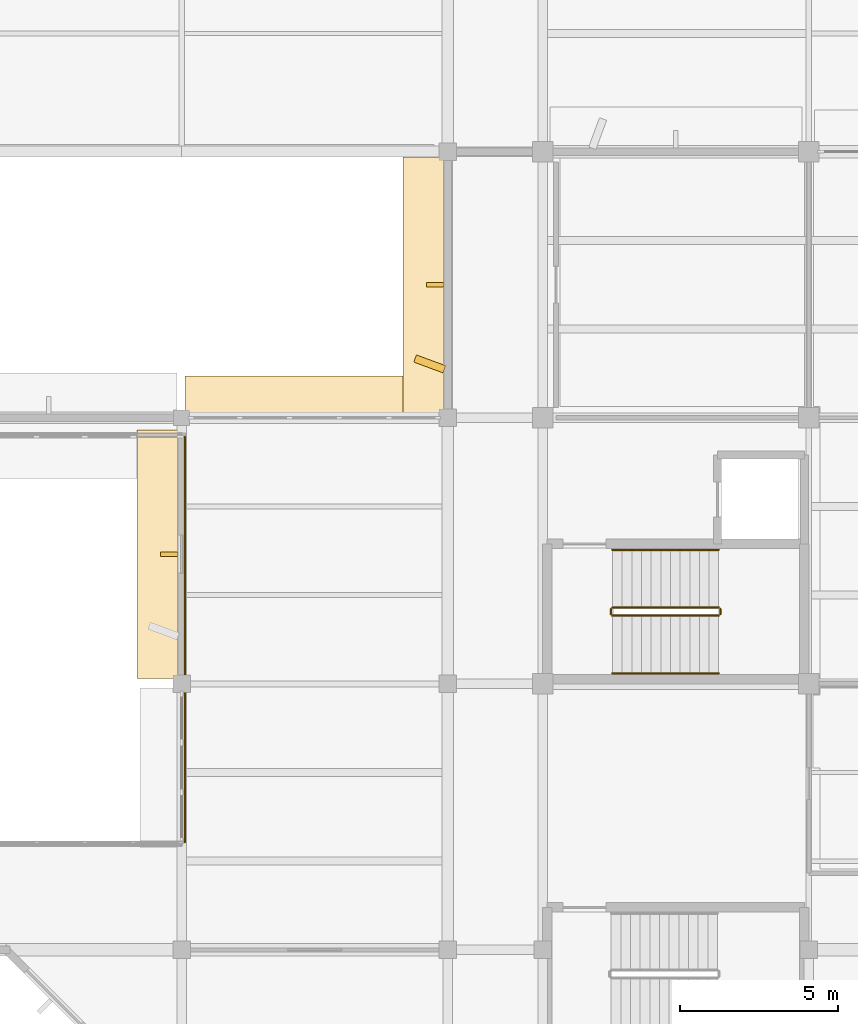
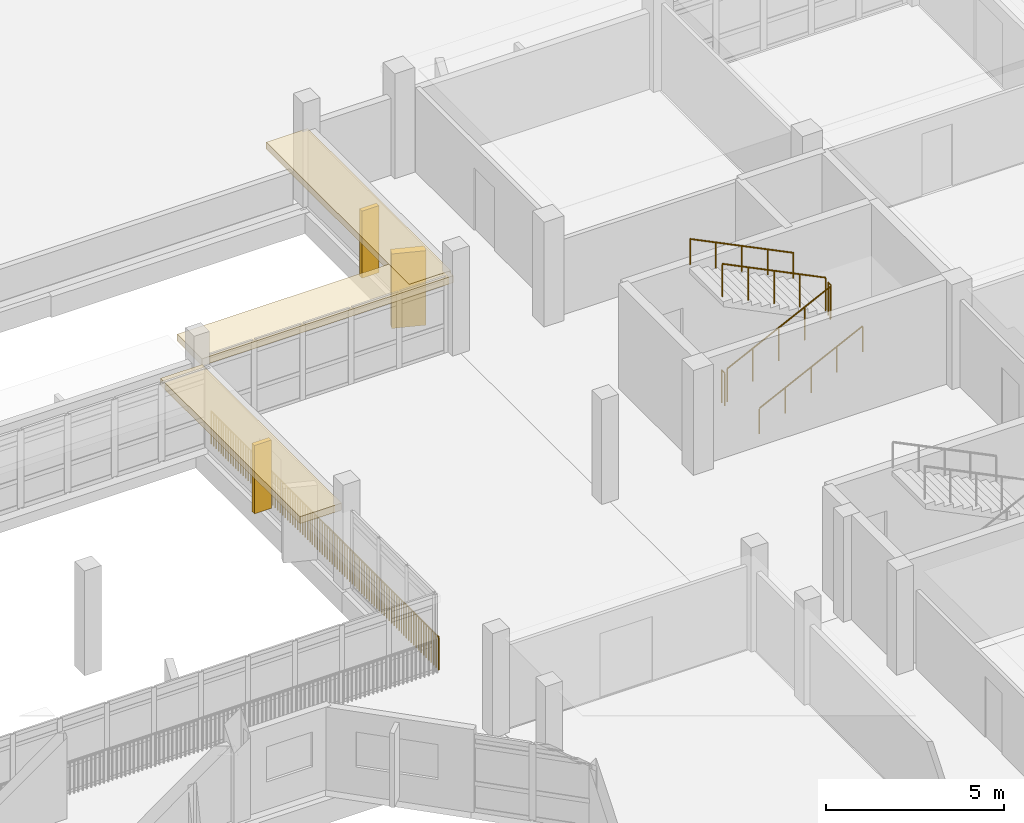
# One storey, part 87 of 92: 7 railings, 4 coverings, 2 shading devices.
"""IFC4 building model written with IfcOpenShell, lengths in metres."""

from ifc_helpers import new_model, si_unit, direction, frame, origin, origin_2d, place, context, subcontext, project, spatial, rectangle, circle, extrude, material, layer, layer_set, type_object, element, save


model = new_model("IFC4")

# Units and contexts
model_context = context("Model", 3, precision=1e-05, world=origin(), true_north=direction((0.0, 1.0)))
body_context = subcontext(model_context, "Body", "Model", "MODEL_VIEW")
ifc_project = project(units=[si_unit("LENGTHUNIT", "METRE"), si_unit("AREAUNIT", "SQUARE_METRE"), si_unit("VOLUMEUNIT", "CUBIC_METRE"), si_unit("PLANEANGLEUNIT", "RADIAN"), si_unit("MASSUNIT", "GRAM", prefix="KILO")], contexts=[model_context])

# Site, building, storey
site_placement = place(None, origin())
site = spatial("IfcSite", under=ifc_project, at=site_placement, CompositionType="ELEMENT")
building_placement = place(site_placement, origin())
building = spatial("IfcBuilding", under=site, at=building_placement, Name="Vanh Quang Courtyard School", CompositionType="ELEMENT")
storey_placement = place(building_placement, frame((0.0, 0.0, 7.800048828125)))
storey = spatial("IfcBuildingStorey", under=building, at=storey_placement, Name="L02", CompositionType="ELEMENT", Elevation=7.800048828125)

# Coverings
ifc_material_1 = material(Name="Board-marked precast concrete C40/50", Category="concrete")
ifc_layer = layer(ifc_material_1, 0.239990234375)
ifc_layer_set = layer_set([ifc_layer], Name="Board-marked precast concrete C40/50")
covering_type = type_object("IfcCoveringType", Name="COV-HOOD-CONC", PredefinedType="CLADDING", material=ifc_layer_set)
covering_1_placement = place(storey_placement, frame((70.1875, 88.820068359375, 2.35986328125), z_axis=(0.0, 0.0, 1.0), x_axis=(1.0, 0.0, 0.0)))
element("IfcCovering", 1, at=covering_1_placement, inside=storey, type_object=covering_type, Name="Covering CH-01 (L02)", PredefinedType="CLADDING", context=body_context, shape_type="SweptSolid", body=[
    extrude(rectangle(XDim=8.158935546875, YDim=1.39990234375, at=origin_2d()), origin(), (0.0, 0.0, 1.0), 0.239990234375),
])
covering_2_placement = place(storey_placement, frame((73.659912109375, 92.39990234375, 2.35986328125), z_axis=(0.0, 0.0, 1.0), x_axis=(0.0, 1.0, 0.0)))
element("IfcCovering", 2, at=covering_2_placement, inside=storey, type_object=covering_type, Name="Covering CH-01 (L02)", PredefinedType="CLADDING", context=body_context, shape_type="SweptSolid", body=[
    extrude(rectangle(XDim=8.053955078125, YDim=1.35009765625, at=origin_2d()), origin(), (0.0, 0.0, 1.0), 0.239990234375),
])
covering_3_placement = place(storey_placement, frame((73.830078125, 89.899658203125, 0.0), z_axis=(0.0, 0.0, 1.0), x_axis=(-0.938009980858, 0.346608245445, 0.0)))
element("IfcCovering", 3, at=covering_3_placement, inside=storey, type_object=covering_type, Name="Covering CH-01 (L02)", PredefinedType="CLADDING", context=body_context, shape_type="SweptSolid", body=[
    extrude(rectangle(XDim=0.980712890625, YDim=0.239990234375, at=origin_2d()), origin(), (0.0, 0.0, 1.0), 2.56005859375),
])
covering_4_placement = place(storey_placement, frame((65.260009765625, 83.896484375, 2.41015625), z_axis=(0.0, 0.0, 1.0), x_axis=(0.0, 1.0, 0.0)))
element("IfcCovering", 4, at=covering_4_placement, inside=storey, type_object=covering_type, Name="Covering CH-01 (L02)", PredefinedType="CLADDING", context=body_context, shape_type="SweptSolid", body=[
    extrude(rectangle(XDim=7.846923828125, YDim=1.35009765625, at=origin_2d()), origin(), (0.0, 0.0, 1.0), 0.239990234375),
])

# Railings
ifc_material_2 = material(Name="Galvanised painted steel EN 10025-2 S355J2", Category="steel")
railing_type_1 = type_object("IfcRailingType", Name="RAIL-GUARD-1150", PredefinedType="BALUSTRADE", material=ifc_material_2)
railing_1_placement = place(storey_placement, frame((66.10009765625, 74.800048828125, 0.0)))
element("IfcRailing", 5, at=railing_1_placement, inside=storey, type_object=railing_type_1, Name="Railing GR-01 (L02)", PredefinedType="BALUSTRADE", context=body_context, shape_type="SweptSolid", body=[
    extrude(circle(Radius=0.02392578125, at=origin_2d()), frame((0.0, 0.0, 1.1259765625), z_axis=(0.0, 1.0, 0.0), x_axis=(-1.0, 0.0, 0.0)), (0.0, 0.0, 1.0), 12.800048828125),
    extrude(circle(Radius=0.02099609375, at=origin_2d()), origin(), (0.0, 0.0, 1.0), 1.101806640625),
    extrude(circle(Radius=0.02099609375, at=origin_2d()), frame((0.0, 0.13916015625, 0.0)), (0.0, 0.0, 1.0), 1.101806640625),
    extrude(circle(Radius=0.02099609375, at=origin_2d()), frame((0.0, 0.2783203125, 0.0)), (0.0, 0.0, 1.0), 1.101806640625),
    extrude(circle(Radius=0.02099609375, at=origin_2d()), frame((0.0, 0.41748046875, 0.0)), (0.0, 0.0, 1.0), 1.101806640625),
    extrude(circle(Radius=0.02099609375, at=origin_2d()), frame((0.0, 0.556640625, 0.0)), (0.0, 0.0, 1.0), 1.101806640625),
    extrude(circle(Radius=0.02099609375, at=origin_2d()), frame((0.0, 0.695556640625, 0.0)), (0.0, 0.0, 1.0), 1.101806640625),
    extrude(circle(Radius=0.02099609375, at=origin_2d()), frame((0.0, 0.834716796875, 0.0)), (0.0, 0.0, 1.0), 1.101806640625),
    extrude(circle(Radius=0.02099609375, at=origin_2d()), frame((0.0, 0.973876953125, 0.0)), (0.0, 0.0, 1.0), 1.101806640625),
    extrude(circle(Radius=0.02099609375, at=origin_2d()), frame((0.0, 1.113037109375, 0.0)), (0.0, 0.0, 1.0), 1.101806640625),
    extrude(circle(Radius=0.02099609375, at=origin_2d()), frame((0.0, 1.252197265625, 0.0)), (0.0, 0.0, 1.0), 1.101806640625),
    extrude(circle(Radius=0.02099609375, at=origin_2d()), frame((0.0, 1.391357421875, 0.0)), (0.0, 0.0, 1.0), 1.101806640625),
    extrude(circle(Radius=0.02099609375, at=origin_2d()), frame((0.0, 1.530517578125, 0.0)), (0.0, 0.0, 1.0), 1.101806640625),
    extrude(circle(Radius=0.02099609375, at=origin_2d()), frame((0.0, 1.669677734375, 0.0)), (0.0, 0.0, 1.0), 1.101806640625),
    extrude(circle(Radius=0.02099609375, at=origin_2d()), frame((0.0, 1.80859375, 0.0)), (0.0, 0.0, 1.0), 1.101806640625),
    extrude(circle(Radius=0.02099609375, at=origin_2d()), frame((0.0, 1.94775390625, 0.0)), (0.0, 0.0, 1.0), 1.101806640625),
    extrude(circle(Radius=0.02099609375, at=origin_2d()), frame((0.0, 2.0869140625, 0.0)), (0.0, 0.0, 1.0), 1.101806640625),
    extrude(circle(Radius=0.02099609375, at=origin_2d()), frame((0.0, 2.22607421875, 0.0)), (0.0, 0.0, 1.0), 1.101806640625),
    extrude(circle(Radius=0.02099609375, at=origin_2d()), frame((0.0, 2.365234375, 0.0)), (0.0, 0.0, 1.0), 1.101806640625),
    extrude(circle(Radius=0.02099609375, at=origin_2d()), frame((0.0, 2.50439453125, 0.0)), (0.0, 0.0, 1.0), 1.101806640625),
    extrude(circle(Radius=0.02099609375, at=origin_2d()), frame((0.0, 2.6435546875, 0.0)), (0.0, 0.0, 1.0), 1.101806640625),
    extrude(circle(Radius=0.02099609375, at=origin_2d()), frame((0.0, 2.78271484375, 0.0)), (0.0, 0.0, 1.0), 1.101806640625),
    extrude(circle(Radius=0.02099609375, at=origin_2d()), frame((0.0, 2.921630859375, 0.0)), (0.0, 0.0, 1.0), 1.101806640625),
    extrude(circle(Radius=0.02099609375, at=origin_2d()), frame((0.0, 3.060791015625, 0.0)), (0.0, 0.0, 1.0), 1.101806640625),
    extrude(circle(Radius=0.02099609375, at=origin_2d()), frame((0.0, 3.199951171875, 0.0)), (0.0, 0.0, 1.0), 1.101806640625),
    extrude(circle(Radius=0.02099609375, at=origin_2d()), frame((0.0, 3.339111328125, 0.0)), (0.0, 0.0, 1.0), 1.101806640625),
    extrude(circle(Radius=0.02099609375, at=origin_2d()), frame((0.0, 3.478271484375, 0.0)), (0.0, 0.0, 1.0), 1.101806640625),
    extrude(circle(Radius=0.02099609375, at=origin_2d()), frame((0.0, 3.617431640625, 0.0)), (0.0, 0.0, 1.0), 1.101806640625),
    extrude(circle(Radius=0.02099609375, at=origin_2d()), frame((0.0, 3.756591796875, 0.0)), (0.0, 0.0, 1.0), 1.101806640625),
    extrude(circle(Radius=0.02099609375, at=origin_2d()), frame((0.0, 3.895751953125, 0.0)), (0.0, 0.0, 1.0), 1.101806640625),
    extrude(circle(Radius=0.02099609375, at=origin_2d()), frame((0.0, 4.034912109375, 0.0)), (0.0, 0.0, 1.0), 1.101806640625),
    extrude(circle(Radius=0.02099609375, at=origin_2d()), frame((0.0, 4.173828125, 0.0)), (0.0, 0.0, 1.0), 1.101806640625),
    extrude(circle(Radius=0.02099609375, at=origin_2d()), frame((0.0, 4.31298828125, 0.0)), (0.0, 0.0, 1.0), 1.101806640625),
    extrude(circle(Radius=0.02099609375, at=origin_2d()), frame((0.0, 4.4521484375, 0.0)), (0.0, 0.0, 1.0), 1.101806640625),
    extrude(circle(Radius=0.02099609375, at=origin_2d()), frame((0.0, 4.59130859375, 0.0)), (0.0, 0.0, 1.0), 1.101806640625),
    extrude(circle(Radius=0.02099609375, at=origin_2d()), frame((0.0, 4.73046875, 0.0)), (0.0, 0.0, 1.0), 1.101806640625),
    extrude(circle(Radius=0.02099609375, at=origin_2d()), frame((0.0, 4.86962890625, 0.0)), (0.0, 0.0, 1.0), 1.101806640625),
    extrude(circle(Radius=0.02099609375, at=origin_2d()), frame((0.0, 5.0087890625, 0.0)), (0.0, 0.0, 1.0), 1.101806640625),
    extrude(circle(Radius=0.02099609375, at=origin_2d()), frame((0.0, 5.14794921875, 0.0)), (0.0, 0.0, 1.0), 1.101806640625),
    extrude(circle(Radius=0.02099609375, at=origin_2d()), frame((0.0, 5.286865234375, 0.0)), (0.0, 0.0, 1.0), 1.101806640625),
    extrude(circle(Radius=0.02099609375, at=origin_2d()), frame((0.0, 5.426025390625, 0.0)), (0.0, 0.0, 1.0), 1.101806640625),
    extrude(circle(Radius=0.02099609375, at=origin_2d()), frame((0.0, 5.565185546875, 0.0)), (0.0, 0.0, 1.0), 1.101806640625),
    extrude(circle(Radius=0.02099609375, at=origin_2d()), frame((0.0, 5.704345703125, 0.0)), (0.0, 0.0, 1.0), 1.101806640625),
    extrude(circle(Radius=0.02099609375, at=origin_2d()), frame((0.0, 5.843505859375, 0.0)), (0.0, 0.0, 1.0), 1.101806640625),
    extrude(circle(Radius=0.02099609375, at=origin_2d()), frame((0.0, 5.982666015625, 0.0)), (0.0, 0.0, 1.0), 1.101806640625),
    extrude(circle(Radius=0.02099609375, at=origin_2d()), frame((0.0, 6.121826171875, 0.0)), (0.0, 0.0, 1.0), 1.101806640625),
    extrude(circle(Radius=0.02099609375, at=origin_2d()), frame((0.0, 6.260986328125, 0.0)), (0.0, 0.0, 1.0), 1.101806640625),
    extrude(circle(Radius=0.02099609375, at=origin_2d()), frame((0.0, 6.39990234375, 0.0)), (0.0, 0.0, 1.0), 1.101806640625),
    extrude(circle(Radius=0.02099609375, at=origin_2d()), frame((0.0, 6.5390625, 0.0)), (0.0, 0.0, 1.0), 1.101806640625),
    extrude(circle(Radius=0.02099609375, at=origin_2d()), frame((0.0, 6.67822265625, 0.0)), (0.0, 0.0, 1.0), 1.101806640625),
    extrude(circle(Radius=0.02099609375, at=origin_2d()), frame((0.0, 6.8173828125, 0.0)), (0.0, 0.0, 1.0), 1.101806640625),
    extrude(circle(Radius=0.02099609375, at=origin_2d()), frame((0.0, 6.95654296875, 0.0)), (0.0, 0.0, 1.0), 1.101806640625),
    extrude(circle(Radius=0.02099609375, at=origin_2d()), frame((0.0, 7.095703125, 0.0)), (0.0, 0.0, 1.0), 1.101806640625),
    extrude(circle(Radius=0.02099609375, at=origin_2d()), frame((0.0, 7.23486328125, 0.0)), (0.0, 0.0, 1.0), 1.101806640625),
    extrude(circle(Radius=0.02099609375, at=origin_2d()), frame((0.0, 7.3740234375, 0.0)), (0.0, 0.0, 1.0), 1.101806640625),
    extrude(circle(Radius=0.02099609375, at=origin_2d()), frame((0.0, 7.51318359375, 0.0)), (0.0, 0.0, 1.0), 1.101806640625),
    extrude(circle(Radius=0.02099609375, at=origin_2d()), frame((0.0, 7.652099609375, 0.0)), (0.0, 0.0, 1.0), 1.101806640625),
    extrude(circle(Radius=0.02099609375, at=origin_2d()), frame((0.0, 7.791259765625, 0.0)), (0.0, 0.0, 1.0), 1.101806640625),
    extrude(circle(Radius=0.02099609375, at=origin_2d()), frame((0.0, 7.930419921875, 0.0)), (0.0, 0.0, 1.0), 1.101806640625),
    extrude(circle(Radius=0.02099609375, at=origin_2d()), frame((0.0, 8.069580078125, 0.0)), (0.0, 0.0, 1.0), 1.101806640625),
    extrude(circle(Radius=0.02099609375, at=origin_2d()), frame((0.0, 8.208740234375, 0.0)), (0.0, 0.0, 1.0), 1.101806640625),
    extrude(circle(Radius=0.02099609375, at=origin_2d()), frame((0.0, 8.347900390625, 0.0)), (0.0, 0.0, 1.0), 1.101806640625),
    extrude(circle(Radius=0.02099609375, at=origin_2d()), frame((0.0, 8.487060546875, 0.0)), (0.0, 0.0, 1.0), 1.101806640625),
    extrude(circle(Radius=0.02099609375, at=origin_2d()), frame((0.0, 8.626220703125, 0.0)), (0.0, 0.0, 1.0), 1.101806640625),
    extrude(circle(Radius=0.02099609375, at=origin_2d()), frame((0.0, 8.76513671875, 0.0)), (0.0, 0.0, 1.0), 1.101806640625),
    extrude(circle(Radius=0.02099609375, at=origin_2d()), frame((0.0, 8.904296875, 0.0)), (0.0, 0.0, 1.0), 1.101806640625),
    extrude(circle(Radius=0.02099609375, at=origin_2d()), frame((0.0, 9.04345703125, 0.0)), (0.0, 0.0, 1.0), 1.101806640625),
    extrude(circle(Radius=0.02099609375, at=origin_2d()), frame((0.0, 9.1826171875, 0.0)), (0.0, 0.0, 1.0), 1.101806640625),
    extrude(circle(Radius=0.02099609375, at=origin_2d()), frame((0.0, 9.32177734375, 0.0)), (0.0, 0.0, 1.0), 1.101806640625),
    extrude(circle(Radius=0.02099609375, at=origin_2d()), frame((0.0, 9.4609375, 0.0)), (0.0, 0.0, 1.0), 1.101806640625),
    extrude(circle(Radius=0.02099609375, at=origin_2d()), frame((0.0, 9.60009765625, 0.0)), (0.0, 0.0, 1.0), 1.101806640625),
    extrude(circle(Radius=0.02099609375, at=origin_2d()), frame((0.0, 9.7392578125, 0.0)), (0.0, 0.0, 1.0), 1.101806640625),
    extrude(circle(Radius=0.02099609375, at=origin_2d()), frame((0.0, 9.87841796875, 0.0)), (0.0, 0.0, 1.0), 1.101806640625),
    extrude(circle(Radius=0.02099609375, at=origin_2d()), frame((0.0, 10.017333984375, 0.0)), (0.0, 0.0, 1.0), 1.101806640625),
    extrude(circle(Radius=0.02099609375, at=origin_2d()), frame((0.0, 10.156494140625, 0.0)), (0.0, 0.0, 1.0), 1.101806640625),
    extrude(circle(Radius=0.02099609375, at=origin_2d()), frame((0.0, 10.295654296875, 0.0)), (0.0, 0.0, 1.0), 1.101806640625),
    extrude(circle(Radius=0.02099609375, at=origin_2d()), frame((0.0, 10.434814453125, 0.0)), (0.0, 0.0, 1.0), 1.101806640625),
    extrude(circle(Radius=0.02099609375, at=origin_2d()), frame((0.0, 10.573974609375, 0.0)), (0.0, 0.0, 1.0), 1.101806640625),
    extrude(circle(Radius=0.02099609375, at=origin_2d()), frame((0.0, 10.713134765625, 0.0)), (0.0, 0.0, 1.0), 1.101806640625),
    extrude(circle(Radius=0.02099609375, at=origin_2d()), frame((0.0, 10.852294921875, 0.0)), (0.0, 0.0, 1.0), 1.101806640625),
    extrude(circle(Radius=0.02099609375, at=origin_2d()), frame((0.0, 10.991455078125, 0.0)), (0.0, 0.0, 1.0), 1.101806640625),
    extrude(circle(Radius=0.02099609375, at=origin_2d()), frame((0.0, 11.13037109375, 0.0)), (0.0, 0.0, 1.0), 1.101806640625),
    extrude(circle(Radius=0.02099609375, at=origin_2d()), frame((0.0, 11.26953125, 0.0)), (0.0, 0.0, 1.0), 1.101806640625),
    extrude(circle(Radius=0.02099609375, at=origin_2d()), frame((0.0, 11.40869140625, 0.0)), (0.0, 0.0, 1.0), 1.101806640625),
    extrude(circle(Radius=0.02099609375, at=origin_2d()), frame((0.0, 11.5478515625, 0.0)), (0.0, 0.0, 1.0), 1.101806640625),
    extrude(circle(Radius=0.02099609375, at=origin_2d()), frame((0.0, 11.68701171875, 0.0)), (0.0, 0.0, 1.0), 1.101806640625),
    extrude(circle(Radius=0.02099609375, at=origin_2d()), frame((0.0, 11.826171875, 0.0)), (0.0, 0.0, 1.0), 1.101806640625),
    extrude(circle(Radius=0.02099609375, at=origin_2d()), frame((0.0, 11.96533203125, 0.0)), (0.0, 0.0, 1.0), 1.101806640625),
    extrude(circle(Radius=0.02099609375, at=origin_2d()), frame((0.0, 12.1044921875, 0.0)), (0.0, 0.0, 1.0), 1.101806640625),
    extrude(circle(Radius=0.02099609375, at=origin_2d()), frame((0.0, 12.243408203125, 0.0)), (0.0, 0.0, 1.0), 1.101806640625),
    extrude(circle(Radius=0.02099609375, at=origin_2d()), frame((0.0, 12.382568359375, 0.0)), (0.0, 0.0, 1.0), 1.101806640625),
    extrude(circle(Radius=0.02099609375, at=origin_2d()), frame((0.0, 12.521728515625, 0.0)), (0.0, 0.0, 1.0), 1.101806640625),
    extrude(circle(Radius=0.02099609375, at=origin_2d()), frame((0.0, 12.660888671875, 0.0)), (0.0, 0.0, 1.0), 1.101806640625),
    extrude(circle(Radius=0.02099609375, at=origin_2d()), frame((0.0, 12.800048828125, 0.0)), (0.0, 0.0, 1.0), 1.101806640625),
])
railing_2_placement = place(storey_placement, frame((79.60009765625, 81.949951171875, 0.14990234375)))
element("IfcRailing", 6, at=railing_2_placement, inside=storey, type_object=railing_type_1, Name="L02 ST-01 stair guard 1", PredefinedType="BALUSTRADE", context=body_context, shape_type="SweptSolid", body=[
    extrude(circle(Radius=0.02392578125, at=origin_2d()), frame((0.0, 0.0, 1.1259765625), z_axis=(0.89733343241, 0.0, 0.441353272424), x_axis=(0.0, 1.0, 0.0)), (0.0, 0.0, 1.0), 3.73876953125),
    extrude(circle(Radius=0.02099609375, at=origin_2d()), origin(), (0.0, 0.0, 1.0), 1.101806640625),
    extrude(circle(Radius=0.02099609375, at=origin_2d()), frame((0.8388671875, 0.0, 0.41259765625)), (0.0, 0.0, 1.0), 1.101806640625),
    extrude(circle(Radius=0.02099609375, at=origin_2d()), frame((1.677490234375, 0.0, 0.8251953125)), (0.0, 0.0, 1.0), 1.101806640625),
    extrude(circle(Radius=0.02099609375, at=origin_2d()), frame((2.51611328125, 0.0, 1.237548828125)), (0.0, 0.0, 1.0), 1.101806640625),
    extrude(circle(Radius=0.02099609375, at=origin_2d()), frame((3.35498046875, 0.0, 1.650146484375)), (0.0, 0.0, 1.0), 1.101806640625),
])
railing_3_placement = place(storey_placement, frame((83.0048828125, 82.0, 1.800048828125)))
element("IfcRailing", 7, at=railing_3_placement, inside=storey, type_object=railing_type_1, Name="L02 ST-01 stair guard 2", PredefinedType="BALUSTRADE", context=body_context, shape_type="SweptSolid", body=[
    extrude(circle(Radius=0.02392578125, at=origin_2d()), frame((0.0, 0.0, 1.1259765625), z_axis=(0.0, 1.0, 0.0), x_axis=(-1.0, 0.0, 0.0)), (0.0, 0.0, 1.0), 0.159912109375),
    extrude(circle(Radius=0.02099609375, at=origin_2d()), origin(), (0.0, 0.0, 1.0), 1.101806640625),
    extrude(circle(Radius=0.02099609375, at=origin_2d()), frame((0.0, 0.159912109375, 0.0)), (0.0, 0.0, 1.0), 1.101806640625),
])
railing_4_placement = place(storey_placement, frame((82.955078125, 82.2099609375, 1.949951171875)))
element("IfcRailing", 8, at=railing_4_placement, inside=storey, type_object=railing_type_1, Name="L02 ST-01 stair guard 3", PredefinedType="BALUSTRADE", context=body_context, shape_type="SweptSolid", body=[
    extrude(circle(Radius=0.02392578125, at=origin_2d()), frame((0.0, 0.0, 1.1259765625), z_axis=(-0.897359292542, 0.0, 0.441300691239), x_axis=(0.0, -1.0, 0.0)), (0.0, 0.0, 1.0), 3.73876953125),
    extrude(circle(Radius=0.02099609375, at=origin_2d()), origin(), (0.0, 0.0, 1.0), 1.101806640625),
    extrude(circle(Radius=0.02099609375, at=origin_2d()), frame((-0.8388671875, 0.0, 0.41259765625)), (0.0, 0.0, 1.0), 1.101806640625),
    extrude(circle(Radius=0.02099609375, at=origin_2d()), frame((-1.677490234375, 0.0, 0.824951171875)), (0.0, 0.0, 1.0), 1.101806640625),
    extrude(circle(Radius=0.02099609375, at=origin_2d()), frame((-2.51611328125, 0.0, 1.2373046875)), (0.0, 0.0, 1.0), 1.101806640625),
    extrude(circle(Radius=0.02099609375, at=origin_2d()), frame((-3.35498046875, 0.0, 1.64990234375)), (0.0, 0.0, 1.0), 1.101806640625),
])
railing_5_placement = place(storey_placement, frame((79.550048828125, 82.0, 0.0)))
element("IfcRailing", 9, at=railing_5_placement, inside=storey, type_object=railing_type_1, Name="L02 ST-01 stair guard 4", PredefinedType="BALUSTRADE", context=body_context, shape_type="SweptSolid", body=[
    extrude(circle(Radius=0.02392578125, at=origin_2d()), frame((0.0, 0.0, 1.1259765625), z_axis=(0.0, 1.0, 0.0), x_axis=(-1.0, 0.0, 0.0)), (0.0, 0.0, 1.0), 0.159912109375),
    extrude(circle(Radius=0.02099609375, at=origin_2d()), origin(), (0.0, 0.0, 1.0), 1.101806640625),
    extrude(circle(Radius=0.02099609375, at=origin_2d()), frame((0.0, 0.159912109375, 0.0)), (0.0, 0.0, 1.0), 1.101806640625),
])
ifc_material_3 = material(Name="Brushed stainless steel", Category="steel")
railing_type_2 = type_object("IfcRailingType", Name="RAIL-HAND-900", PredefinedType="HANDRAIL", material=ifc_material_3)
railing_6_placement = place(storey_placement, frame((79.60009765625, 80.1298828125, 0.14990234375)))
element("IfcRailing", 10, at=railing_6_placement, inside=storey, type_object=railing_type_2, Name="L02 ST-01 stair handrail 1", PredefinedType="HANDRAIL", context=body_context, shape_type="SweptSolid", body=[
    extrude(circle(Radius=0.02392578125, at=origin_2d()), frame((0.0, 0.0, 0.8759765625), z_axis=(0.89733343241, 0.0, 0.441353272424), x_axis=(0.0, 1.0, 0.0)), (0.0, 0.0, 1.0), 3.73876953125),
    extrude(circle(Radius=0.02099609375, at=origin_2d()), origin(), (0.0, 0.0, 1.0), 0.851806640625),
    extrude(circle(Radius=0.02099609375, at=origin_2d()), frame((0.8388671875, 0.0, 0.41259765625)), (0.0, 0.0, 1.0), 0.851806640625),
    extrude(circle(Radius=0.02099609375, at=origin_2d()), frame((1.677490234375, 0.0, 0.8251953125)), (0.0, 0.0, 1.0), 0.851806640625),
    extrude(circle(Radius=0.02099609375, at=origin_2d()), frame((2.51611328125, 0.0, 1.237548828125)), (0.0, 0.0, 1.0), 0.851806640625),
    extrude(circle(Radius=0.02099609375, at=origin_2d()), frame((3.35498046875, 0.0, 1.650146484375)), (0.0, 0.0, 1.0), 0.851806640625),
])
railing_7_placement = place(storey_placement, frame((82.955078125, 84.030029296875, 1.949951171875)))
element("IfcRailing", 11, at=railing_7_placement, inside=storey, type_object=railing_type_2, Name="L02 ST-01 stair handrail 2", PredefinedType="HANDRAIL", context=body_context, shape_type="SweptSolid", body=[
    extrude(circle(Radius=0.02392578125, at=origin_2d()), frame((0.0, 0.0, 0.8759765625), z_axis=(-0.897359292542, 0.0, 0.441300691239), x_axis=(0.0, -1.0, 0.0)), (0.0, 0.0, 1.0), 3.73876953125),
    extrude(circle(Radius=0.02099609375, at=origin_2d()), origin(), (0.0, 0.0, 1.0), 0.851806640625),
    extrude(circle(Radius=0.02099609375, at=origin_2d()), frame((-0.8388671875, 0.0, 0.41259765625)), (0.0, 0.0, 1.0), 0.851806640625),
    extrude(circle(Radius=0.02099609375, at=origin_2d()), frame((-1.677490234375, 0.0, 0.824951171875)), (0.0, 0.0, 1.0), 0.851806640625),
    extrude(circle(Radius=0.02099609375, at=origin_2d()), frame((-2.51611328125, 0.0, 1.2373046875)), (0.0, 0.0, 1.0), 0.851806640625),
    extrude(circle(Radius=0.02099609375, at=origin_2d()), frame((-3.35498046875, 0.0, 1.64990234375)), (0.0, 0.0, 1.0), 0.851806640625),
])

# Shading devices
shading_device_type = type_object("IfcShadingDeviceType", Name="SHD-FIN-CONCRETE", PredefinedType="USERDEFINED", material=ifc_material_1)
shading_device_1_placement = place(storey_placement, frame((74.0048828125, 92.39990234375, 0.14990234375), z_axis=(0.0, 0.0, 1.0), x_axis=(0.0, 1.0, 0.0)))
element("IfcShadingDevice", 12, at=shading_device_1_placement, inside=storey, type_object=shading_device_type, Name="Solar Shading SH-02 (L02)", ObjectType="Solar Shading SH-02 (L02)", PredefinedType="USERDEFINED", context=body_context, shape_type="SweptSolid", body=[
    extrude(rectangle(XDim=0.139892578125, YDim=0.550048828125, at=origin_2d()), origin(), (0.0, 0.0, 1.0), 2.300048828125),
])
shading_device_2_placement = place(storey_placement, frame((65.60498046875, 83.896484375, 0.14990234375), z_axis=(0.0, 0.0, 1.0), x_axis=(0.0, 1.0, 0.0)))
element("IfcShadingDevice", 13, at=shading_device_2_placement, inside=storey, type_object=shading_device_type, Name="Solar Shading SH-02 (L02)", ObjectType="Solar Shading SH-02 (L02)", PredefinedType="USERDEFINED", context=body_context, shape_type="SweptSolid", body=[
    extrude(rectangle(XDim=0.139892578125, YDim=0.550048828125, at=origin_2d()), origin(), (0.0, 0.0, 1.0), 2.35009765625),
])

save(model, "model.ifc")
